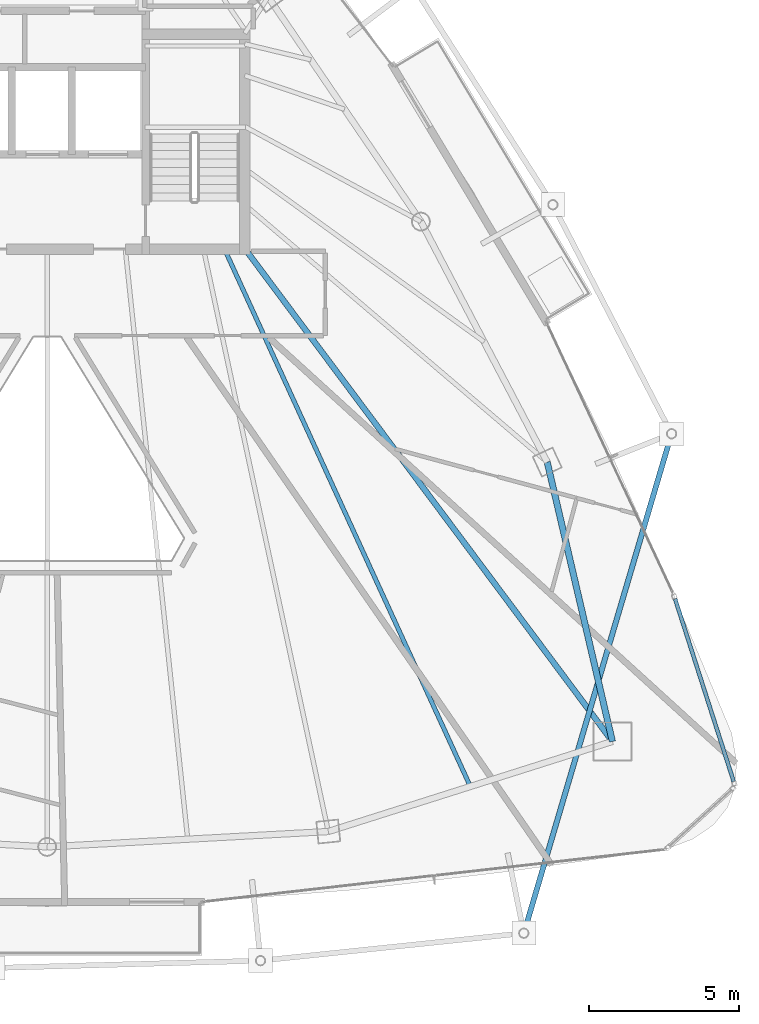
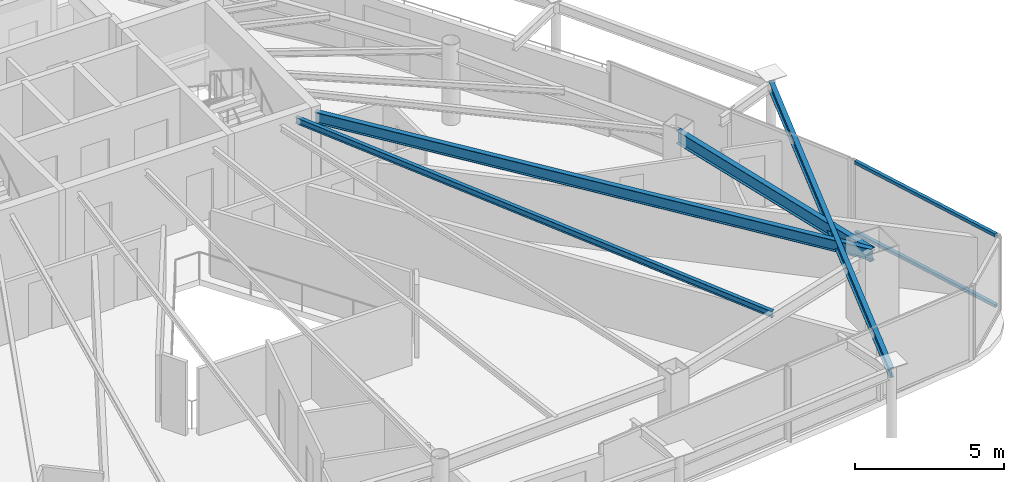
# One storey, part 16 of 30: 4 beams, 2 members, 1 element without a shape of its own.
"""IFC4 building model written with IfcOpenShell, lengths in metres."""

from ifc_helpers import new_model, si_unit, direction, frame, origin, origin_2d, place, context, subcontext, project, spatial, hollow_rectangle, i_section, extrude, material, layer, layer_set, material_profile, profile_set, type_object, element, aggregate, save


model = new_model("IFC4")

# Units and contexts
model_context = context("Model", 3, precision=1e-05, world=origin(), true_north=direction((0.0, 1.0)))
body_context = subcontext(model_context, "Body", "Model", "MODEL_VIEW")
ifc_project = project(units=[si_unit("LENGTHUNIT", "METRE"), si_unit("AREAUNIT", "SQUARE_METRE"), si_unit("VOLUMEUNIT", "CUBIC_METRE"), si_unit("PLANEANGLEUNIT", "RADIAN"), si_unit("MASSUNIT", "GRAM", prefix="KILO")], contexts=[model_context])

# Site, building, storey
site_placement = place(None, origin())
site = spatial("IfcSite", under=ifc_project, at=site_placement, CompositionType="ELEMENT")
building_placement = place(site_placement, origin())
building = spatial("IfcBuilding", under=site, at=building_placement, Name="Orvanel Arch Residences", CompositionType="ELEMENT")
storey_placement = place(building_placement, frame((0.0, 0.0, 232.699951171875)))
storey = spatial("IfcBuildingStorey", under=building, at=storey_placement, Name="L66", CompositionType="ELEMENT", Elevation=232.699951171875)

# Beams
ifc_material_1 = material(Name="Structural steel AS/NZS 3679.1 Grade 300 (300 MPa)", Category="steel")
ifc_material_profile_1 = material_profile(ifc_material_1, i_section(OverallWidth=0.19091796875, OverallDepth=0.4599609375, WebThickness=0.010009765625, FlangeThickness=0.01611328125, at=origin_2d()), Name="460UB82.1")
ifc_profile_set_1 = profile_set([ifc_material_profile_1], Name="Structural steel AS/NZS 3679.1 Grade 300 (300 MPa)")
beam_type_1 = type_object("IfcBeamType", Name="BG-460UB", PredefinedType="BEAM", material=ifc_profile_set_1)
beam_1_placement = place(storey_placement, frame((39.625, 26.675048828125, 2.7900390625), z_axis=(0.597893733742, -0.801575375839, 0.0), x_axis=(0.801575375839, 0.597893733742, 0.0)))
element("IfcBeam", 1, at=beam_1_placement, inside=storey, type_object=beam_type_1, Name="L66 South-East Radial Girder", PredefinedType="BEAM", context=body_context, shape_type="SweptSolid", body=[
    extrude(i_section(OverallWidth=0.19091796875, OverallDepth=0.4599609375, WebThickness=0.010009765625, FlangeThickness=0.01611328125, at=origin_2d()), origin(), (0.0, 0.0, 1.0), 20.36474609375),
])
ifc_material_profile_2 = material_profile(ifc_material_1, i_section(OverallWidth=0.14599609375, OverallDepth=0.251953125, WebThickness=0.006103515625, FlangeThickness=0.008544921875, at=origin_2d()), Name="250UB31.4")
ifc_profile_set_2 = profile_set([ifc_material_profile_2], Name="Structural steel AS/NZS 3679.1 Grade 300 (300 MPa)")
beam_type_2 = type_object("IfcBeamType", Name="BJ-250UB", PredefinedType="JOIST", material=ifc_profile_set_2)
beam_2_placement = place(storey_placement, frame((38.89990234375, 26.72509765625, 2.89404296875), z_axis=(0.416009574066, -0.909360233508, 0.0), x_axis=(0.909360233508, 0.416009574066, 0.0)))
element("IfcBeam", 2, at=beam_2_placement, inside=storey, type_object=beam_type_2, Name="L66 JADD2 Wing Floor Joist", PredefinedType="JOIST", context=body_context, shape_type="SweptSolid", body=[
    extrude(i_section(OverallWidth=0.14599609375, OverallDepth=0.251953125, WebThickness=0.006103515625, FlangeThickness=0.008544921875, at=origin_2d()), origin(), (0.0, 0.0, 1.0), 19.653564453125),
])
ifc_material_profile_3 = material_profile(ifc_material_1, i_section(OverallWidth=0.177978515625, OverallDepth=0.406005859375, WebThickness=0.0078125, FlangeThickness=0.0126953125, at=origin_2d()), Name="410UB59.7")
ifc_profile_set_3 = profile_set([ifc_material_profile_3], Name="Structural steel AS/NZS 3679.1 Grade 300 (300 MPa)")
beam_type_3 = type_object("IfcBeamType", Name="OB-410UB-EXT", PredefinedType="SPANDREL", material=ifc_profile_set_3)
beam_3_placement = place(storey_placement, frame((48.85498046875, 3.97412109375, 2.817138671875), z_axis=(0.283644871246, 0.958929396262, 0.0), x_axis=(-0.958929396262, 0.283644871246, 0.0)))
element("IfcBeam", 3, at=beam_3_placement, inside=storey, type_object=beam_type_3, Name="L66 Outer Perimeter Floor Ring Beam 08", PredefinedType="SPANDREL", context=body_context, shape_type="SweptSolid", body=[
    extrude(i_section(OverallWidth=0.177978515625, OverallDepth=0.406005859375, WebThickness=0.0078125, FlangeThickness=0.0126953125, at=origin_2d()), origin(), (0.0, 0.0, 1.0), 17.3212890625),
])
ifc_material_profile_4 = material_profile(ifc_material_1, i_section(OverallWidth=0.208984375, OverallDepth=0.532958984375, WebThickness=0.01025390625, FlangeThickness=0.015625, at=origin_2d()), Name="530UB92.4")
ifc_profile_set_4 = profile_set([ifc_material_profile_4], Name="Structural steel AS/NZS 3679.1 Grade 300 (300 MPa)")
beam_type_4 = type_object("IfcBeamType", Name="SP-530UB", PredefinedType="SPANDREL", material=ifc_profile_set_4)
beam_4_placement = place(storey_placement, frame((51.801025390625, 10.35107421875, 2.7529296875), z_axis=(-0.227236087167, 0.973839699688, 0.0), x_axis=(-0.973839699688, -0.227236087167, 0.0)))
element("IfcBeam", 4, at=beam_4_placement, inside=storey, type_object=beam_type_4, Name="L66 Perimeter Spandrel Beam 06", PredefinedType="SPANDREL", context=body_context, shape_type="SweptSolid", body=[
    extrude(i_section(OverallWidth=0.208984375, OverallDepth=0.532958984375, WebThickness=0.01025390625, FlangeThickness=0.015625, at=origin_2d()), origin(), (0.0, 0.0, 1.0), 9.54052734375),
])

# Curtain wall, members
ifc_material_2 = material(Name="Bronze-anodised aluminium AA6063-T6", Category="aluminium")
ifc_layer = layer(ifc_material_2, 0.18994140625)
ifc_layer_set = layer_set([ifc_layer], Name="Bronze-anodised aluminium AA6063-T6")
curtain_wall_type = type_object("IfcCurtainWallType", Name="CW5-CRN-SYS", PredefinedType="NOTDEFINED", material=ifc_layer_set)
curtain_wall_placement = place(storey_placement, origin())
curtain_wall = element("IfcCurtainWall", 5, at=curtain_wall_placement, inside=storey, type_object=curtain_wall_type, Name="L66 CW5-CRN-SYS Unitised Curtain Wall", PredefinedType="NOTDEFINED")
ifc_material_profile_5 = material_profile(ifc_material_2, hollow_rectangle(XDim=0.1298828125, YDim=0.1298828125, WallThickness=0.00439453125, at=origin_2d()), Name="ALU130x130x4.5")
ifc_profile_set_5 = profile_set([ifc_material_profile_5], Name="Bronze-anodised aluminium AA6063-T6")
member_type = type_object("IfcMemberType", Name="TRN-130x130", PredefinedType="USERDEFINED", material=ifc_profile_set_5)
member_1_placement = place(storey_placement, frame((55.835205078125, 9.017822265625, 0.06494140625), z_axis=(-0.305587141492, 0.952164113457, 0.0), x_axis=(-0.952164113457, -0.305587141492, 0.0)))
member_1 = element("IfcMember", 6, at=member_1_placement, type_object=member_type, Name="CW-S5 transom 1.1", ObjectType="TRANSOM", PredefinedType="USERDEFINED", context=body_context, shape_type="SweptSolid", body=[
    extrude(hollow_rectangle(XDim=0.1298828125, YDim=0.1298828125, WallThickness=0.00439453125, at=origin_2d()), origin(), (0.0, 0.0, 1.0), 6.3857421875),
])
member_2_placement = place(storey_placement, frame((55.835205078125, 9.017822265625, 2.955078125), z_axis=(-0.305587141492, 0.952164113457, 0.0), x_axis=(-0.952164113457, -0.305587141492, 0.0)))
member_2 = element("IfcMember", 7, at=member_2_placement, type_object=member_type, Name="CW-S5 transom 1.2", ObjectType="TRANSOM", PredefinedType="USERDEFINED", context=body_context, shape_type="SweptSolid", body=[
    extrude(hollow_rectangle(XDim=0.1298828125, YDim=0.1298828125, WallThickness=0.00439453125, at=origin_2d()), origin(), (0.0, 0.0, 1.0), 6.3857421875),
])
aggregate(curtain_wall, [member_1, member_2])

save(model, "model.ifc")
